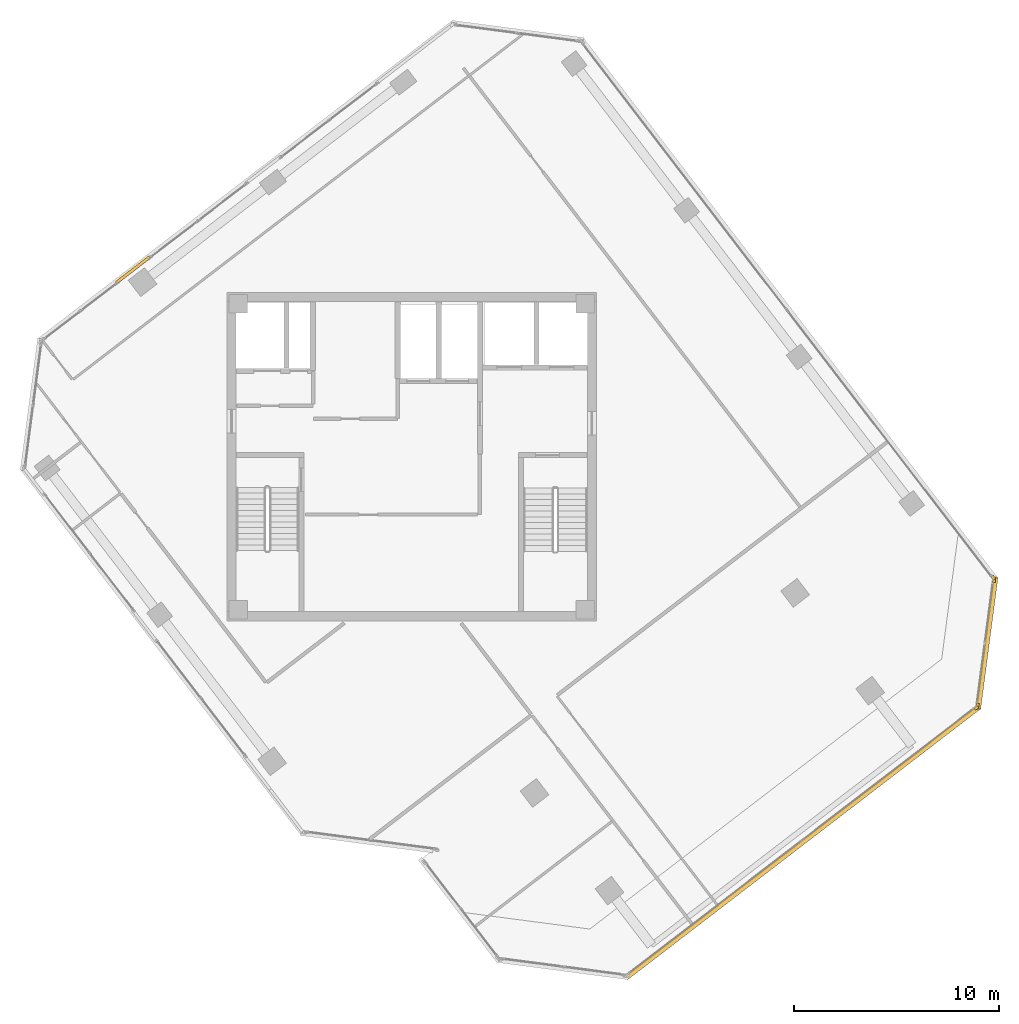
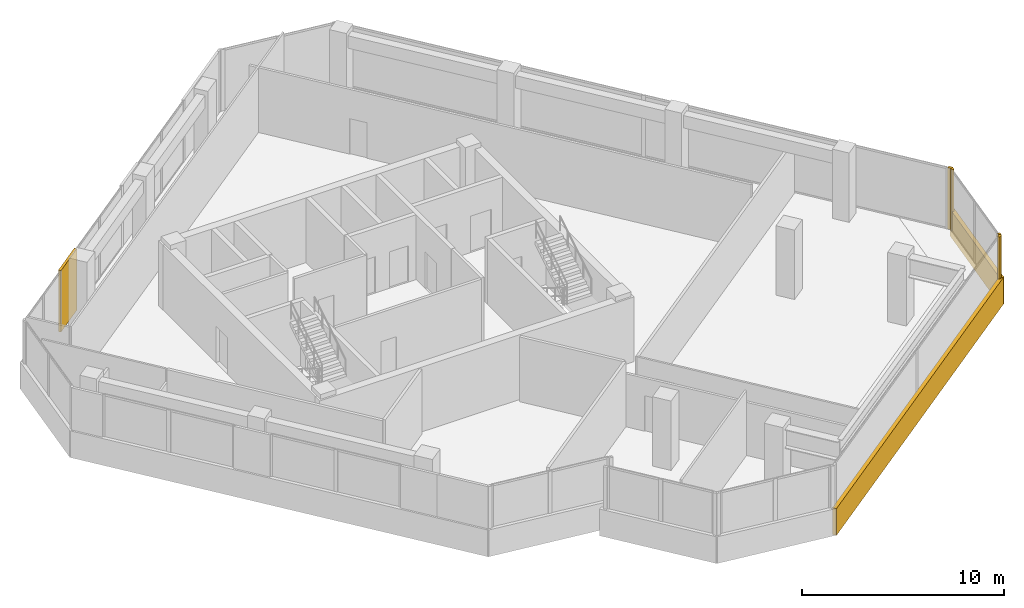
# One storey, part 16 of 17: 7 coverings.
"""IFC4 building model written with IfcOpenShell, lengths in metres."""

from ifc_helpers import new_model, si_unit, direction, frame, origin, origin_2d, place, context, subcontext, project, spatial, rectangle, extrude, source, transform, mapped, material, layer, layer_set, type_object, element, save


model = new_model("IFC4")

# Units and contexts
model_context = context("Model", 3, precision=1e-05, world=origin(), true_north=direction((0.0, 1.0)))
body_context = subcontext(model_context, "Body", "Model", "MODEL_VIEW")
ifc_project = project(units=[si_unit("LENGTHUNIT", "METRE"), si_unit("AREAUNIT", "SQUARE_METRE"), si_unit("VOLUMEUNIT", "CUBIC_METRE"), si_unit("PLANEANGLEUNIT", "RADIAN"), si_unit("MASSUNIT", "GRAM", prefix="KILO")], contexts=[model_context])

# Site, building, storey
site_placement = place(None, origin())
site = spatial("IfcSite", under=ifc_project, at=site_placement, CompositionType="ELEMENT")
building_placement = place(site_placement, origin())
building = spatial("IfcBuilding", under=site, at=building_placement, Name="Torre Montelarca", CompositionType="ELEMENT")
storey_placement = place(building_placement, frame((0.0, 0.0, 283.60009765625)))
storey = spatial("IfcBuildingStorey", under=building, at=storey_placement, Name="L64", CompositionType="ELEMENT", Elevation=283.60009765625)

# Coverings
ifc_material = material(Name="Bush-hammered warm white precast concrete C45/55", Category="concrete")
ifc_layer = layer(ifc_material, 0.139892578125, Name="Bush-hammered warm white precast concrete C45/55", Category="concrete")
ifc_layer_set = layer_set([ifc_layer], Name="Bush-hammered warm white precast concrete C45/55")
covering_type = type_object("IfcCoveringType", Name="COV-TRAY-CLAD", PredefinedType="CLADDING", material=ifc_layer_set)
shared_shape_1 = source(origin(), body_context, "Body", "SweptSolid", [
    extrude(rectangle(XDim=6.48388671875, YDim=0.219970703125, at=origin_2d()), origin(), (0.0, 0.0, 1.0), 1.6201171875),
])
covering_1_placement = place(storey_placement, frame((46.021484375, 22.92333984375, -0.4501953125), z_axis=(0.0, 0.0, 1.0), x_axis=(0.130531383411, 0.991444177927, 0.0)))
element("IfcCovering", 1, at=covering_1_placement, inside=storey, type_object=covering_type, Name="L64 Architectural White Spandrel Tray Band TRYBOT-07", PredefinedType="CLADDING", context=body_context, shape_type="MappedRepresentation", body=[
    mapped(shared_shape_1, transform((0.0, 0.0, 0.0), scale=1.0)),
])
shared_shape_2 = source(origin(), body_context, "Body", "SweptSolid", [
    extrude(rectangle(XDim=0.199951171875, YDim=0.139892578125, at=origin_2d()), origin(), (0.0, 0.0, 1.0), 3.719970703125),
])
for number, where, z_axis, x_axis, name in (
    (2, (45.4892578125, 19.765625, 0.0), (0.0, 0.0, 1.0), (0.793350152813, 0.608765582989, 0.0), "L64 Architectural Column Pier Cladding E06-2"),
    (3, (45.56201171875, 19.891357421875, 0.0), (0.0, 0.0, 1.0), (0.130531383411, 0.991444177927, 0.0), "L64 Architectural Column Pier Cladding E07-1"),
    (4, (46.3623046875, 25.97119140625, 0.0), (0.0, 0.0, 1.0), (0.130531383411, 0.991444177927, 0.0), "L64 Architectural Column Pier Cladding E07-2"),
    (5, (46.32470703125, 26.111328125, 0.0), (0.0, 0.0, 1.0), (-0.608762813671, 0.793352277801, 0.0), "L64 Architectural Column Pier Cladding E08-1"),
):
    element("IfcCovering", number, at=place(storey_placement, frame(where, z_axis=z_axis, x_axis=x_axis)), inside=storey, type_object=covering_type, Name=name, PredefinedType="CLADDING", context=body_context, shape_type="MappedRepresentation", body=[
        mapped(shared_shape_2, transform((0.0, 0.0, 0.0), scale=1.0)),
    ])
shared_shape_3 = source(origin(), body_context, "Body", "SweptSolid", [
    extrude(rectangle(XDim=2.06005859375, YDim=0.139892578125, at=origin_2d()), origin(), (0.0, 0.0, 1.0), 3.719970703125),
])
covering_2_placement = place(storey_placement, frame((4.432861328125, 41.100830078125, 0.0), z_axis=(0.0, 0.0, 1.0), x_axis=(-0.793351215308, -0.608764198331, 0.0)))
element("IfcCovering", 6, at=covering_2_placement, inside=storey, type_object=covering_type, Name="L64 Architectural Column Pier Cladding E10-4", PredefinedType="CLADDING", context=body_context, shape_type="MappedRepresentation", body=[
    mapped(shared_shape_3, transform((0.0, 0.0, 0.0), scale=1.0)),
])
shared_shape_4 = source(origin(), body_context, "Body", "SweptSolid", [
    extrude(rectangle(XDim=21.719970703125, YDim=0.219970703125, at=origin_2d()), origin(), (0.0, 0.0, 1.0), 1.6201171875),
])
covering_3_placement = place(storey_placement, frame((37.049560546875, 13.2138671875, -0.4501953125), z_axis=(0.0, 0.0, 1.0), x_axis=(0.793351215308, 0.608764198331, 0.0)))
element("IfcCovering", 7, at=covering_3_placement, inside=storey, type_object=covering_type, Name="L64 Architectural White Spandrel Tray Band TRYBOT-06", PredefinedType="CLADDING", context=body_context, shape_type="MappedRepresentation", body=[
    mapped(shared_shape_4, transform((0.0, 0.0, 0.0), scale=1.0)),
])

save(model, "model.ifc")
